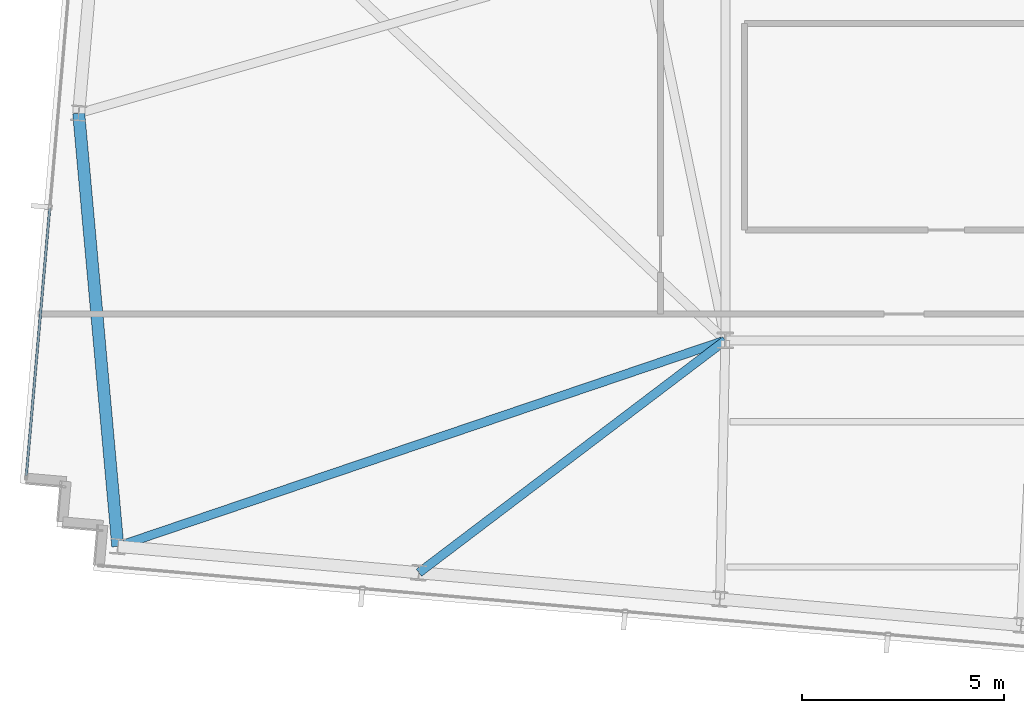
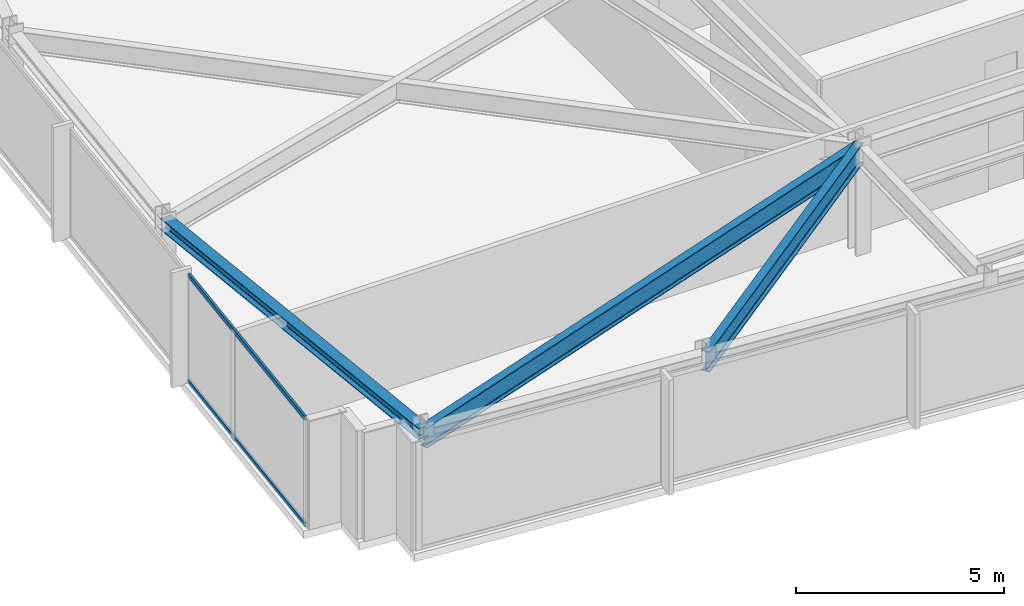
# One storey, part 4 of 32: 3 beams, 2 members, 1 element without a shape of its own.
"""IFC4 building model written with IfcOpenShell, lengths in metres."""

from ifc_helpers import new_model, si_unit, direction, frame, origin, origin_2d, place, context, subcontext, project, spatial, hollow_rectangle, i_section, extrude, material, material_profile, profile_set, type_object, element, aggregate, save


model = new_model("IFC4")

# Units and contexts
model_context = context("Model", 3, precision=1e-05, world=origin(), true_north=direction((0.0, 1.0)))
body_context = subcontext(model_context, "Body", "Model", "MODEL_VIEW")
ifc_project = project(units=[si_unit("LENGTHUNIT", "METRE"), si_unit("AREAUNIT", "SQUARE_METRE"), si_unit("VOLUMEUNIT", "CUBIC_METRE"), si_unit("PLANEANGLEUNIT", "RADIAN"), si_unit("MASSUNIT", "GRAM", prefix="KILO")], contexts=[model_context])

# Site, building, storey
site_placement = place(None, origin())
site = spatial("IfcSite", under=ifc_project, at=site_placement, CompositionType="ELEMENT")
building_placement = place(site_placement, origin())
building = spatial("IfcBuilding", under=site, at=building_placement, Name="Yelkora Congress Tower", CompositionType="ELEMENT")
storey_placement = place(building_placement, frame((0.0, 0.0, 262.5)))
storey = spatial("IfcBuildingStorey", under=building, at=storey_placement, Name="L73", CompositionType="ELEMENT", Elevation=262.5)

# Beams
ifc_material_1 = material(Name="Steel S355J2", Category="steel")
ifc_material_profile_1 = material_profile(ifc_material_1, i_section(OverallWidth=0.219970703125, OverallDepth=0.60009765625, WebThickness=0.011962890625, FlangeThickness=0.01904296875, FilletRadius=0.02392578125, at=origin_2d()), Name="IPE 600")
ifc_profile_set_1 = profile_set([ifc_material_profile_1], Name="Steel S355J2")
beam_type_1 = type_object("IfcBeamType", Name="BM-GIRD-IPE600", PredefinedType="BEAM", material=ifc_profile_set_1)
beam_1_placement = place(storey_placement, frame((7.998046875, 20.097900390625, 2.8798828125), z_axis=(0.947007090502, 0.321212656257, 0.0), x_axis=(-0.321212656257, 0.947007090502, 0.0)))
element("IfcBeam", 1, at=beam_1_placement, inside=storey, type_object=beam_type_1, Name="L73 Primary Frame Girder S01", PredefinedType="BEAM", context=body_context, shape_type="SweptSolid", body=[
    extrude(i_section(OverallWidth=0.219970703125, OverallDepth=0.60009765625, WebThickness=0.011962890625, FlangeThickness=0.01904296875, FilletRadius=0.02392578125, at=origin_2d()), origin(), (0.0, 0.0, 1.0), 15.8837890625),
])
beam_2_placement = place(storey_placement, frame((15.452880859375, 19.445556640625, 2.8798828125), z_axis=(0.79676107913, 0.6042944504, 0.0), x_axis=(-0.6042944504, 0.79676107913, 0.0)))
element("IfcBeam", 2, at=beam_2_placement, inside=storey, type_object=beam_type_1, Name="L73 Primary Frame Girder S02", PredefinedType="BEAM", context=body_context, shape_type="SweptSolid", body=[
    extrude(i_section(OverallWidth=0.219970703125, OverallDepth=0.60009765625, WebThickness=0.011962890625, FlangeThickness=0.01904296875, FilletRadius=0.02392578125, at=origin_2d()), origin(), (0.0, 0.0, 1.0), 9.5224609375),
])
ifc_material_profile_2 = material_profile(ifc_material_1, i_section(OverallWidth=0.300048828125, OverallDepth=0.340087890625, WebThickness=0.011962890625, FlangeThickness=0.021484375, FilletRadius=0.027099609375, at=origin_2d()), Name="HEB 340")
ifc_profile_set_2 = profile_set([ifc_material_profile_2], Name="Steel S355J2")
beam_type_2 = type_object("IfcBeamType", Name="BM-SPAN-HEB340", PredefinedType="SPANDREL", material=ifc_profile_set_2)
beam_3_placement = place(storey_placement, frame((7.029052734375, 30.822998046875, 3.010009765625), z_axis=(0.08998177561, -0.995943412076, 0.0), x_axis=(0.995943412076, 0.08998177561, 0.0)))
element("IfcBeam", 3, at=beam_3_placement, inside=storey, type_object=beam_type_2, Name="L73 Perimeter Beam 15", PredefinedType="SPANDREL", context=body_context, shape_type="SweptSolid", body=[
    extrude(i_section(OverallWidth=0.300048828125, OverallDepth=0.340087890625, WebThickness=0.011962890625, FlangeThickness=0.021484375, FilletRadius=0.027099609375, at=origin_2d()), origin(), (0.0, 0.0, 1.0), 10.768798828125),
])

# Curtain wall, members
ifc_material_2 = material(Name="Anodised aluminium and insulated glass", Category="aluminium")
curtain_wall_type = type_object("IfcCurtainWallType", Name="CW-SYS-B5", PredefinedType="NOTDEFINED", material=ifc_material_2)
curtain_wall_placement = place(storey_placement, origin())
curtain_wall = element("IfcCurtainWall", 4, at=curtain_wall_placement, inside=storey, type_object=curtain_wall_type, Name="L73 Unitised Curtain Wall 5", PredefinedType="NOTDEFINED")
ifc_material_3 = material(Name="Anodised aluminium 6063-T6", Category="aluminium")
ifc_material_profile_3 = material_profile(ifc_material_3, hollow_rectangle(XDim=0.06005859375, YDim=0.1298828125, WallThickness=0.00390625, at=origin_2d()), Name="ALU 60x130x4")
ifc_profile_set_3 = profile_set([ifc_material_profile_3], Name="Anodised aluminium 6063-T6")
member_type = type_object("IfcMemberType", Name="MEM-TR-B5", PredefinedType="USERDEFINED", material=ifc_profile_set_3)
member_1_placement = place(storey_placement, frame((5.732666015625, 21.85693359375, 0.030029296875), z_axis=(0.08716649365, 0.996193757451, 0.0), x_axis=(-0.996193757451, 0.08716649365, 0.0)))
member_1 = element("IfcMember", 5, at=member_1_placement, type_object=member_type, Name="CW-B5 transom 1.1", ObjectType="TRANSOM", PredefinedType="USERDEFINED", context=body_context, shape_type="SweptSolid", body=[
    extrude(hollow_rectangle(XDim=0.06005859375, YDim=0.1298828125, WallThickness=0.00390625, at=origin_2d()), origin(), (0.0, 0.0, 1.0), 6.63232421875),
])
member_2_placement = place(storey_placement, frame((5.732666015625, 21.85693359375, 3.14990234375), z_axis=(0.08716649365, 0.996193757451, 0.0), x_axis=(-0.996193757451, 0.08716649365, 0.0)))
member_2 = element("IfcMember", 6, at=member_2_placement, type_object=member_type, Name="CW-B5 transom 1.2", ObjectType="TRANSOM", PredefinedType="USERDEFINED", context=body_context, shape_type="SweptSolid", body=[
    extrude(hollow_rectangle(XDim=0.06005859375, YDim=0.1298828125, WallThickness=0.00390625, at=origin_2d()), origin(), (0.0, 0.0, 1.0), 6.63232421875),
])
aggregate(curtain_wall, [member_1, member_2])

save(model, "model.ifc")
